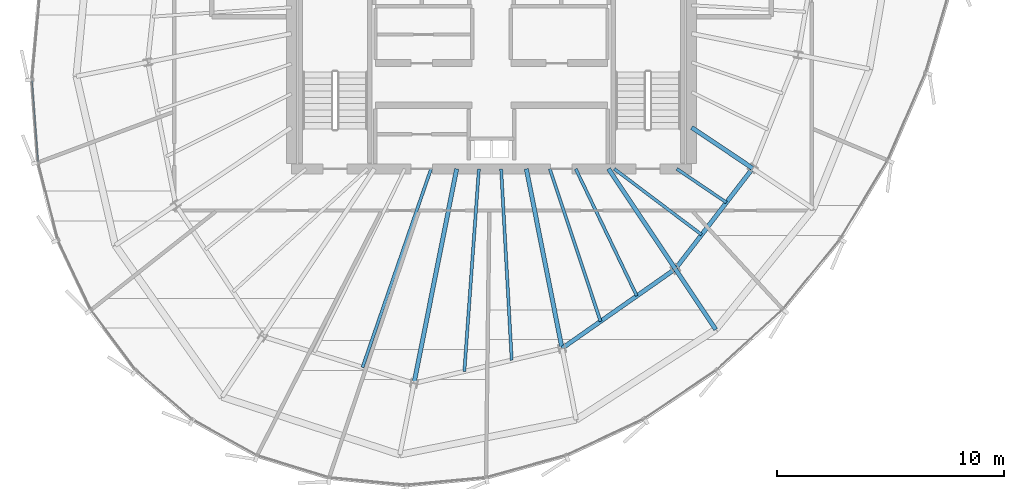
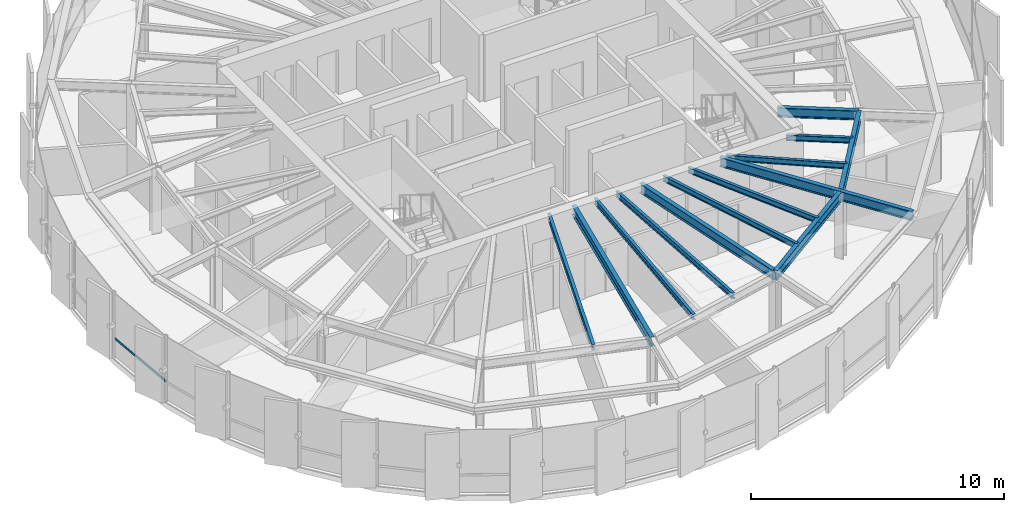
# One storey, part 8 of 33: 14 beams, 1 member, 1 element without a shape of its own.
"""IFC4 building model written with IfcOpenShell, lengths in metres."""

from ifc_helpers import new_model, si_unit, direction, frame, origin, origin_2d, place, context, subcontext, project, spatial, hollow_rectangle, i_section, extrude, source, transform, mapped, material, layer, layer_set, material_profile, profile_set, type_object, element, aggregate, save


model = new_model("IFC4")

# Units and contexts
model_context = context("Model", 3, precision=1e-05, world=origin(), true_north=direction((0.0, 1.0)))
body_context = subcontext(model_context, "Body", "Model", "MODEL_VIEW")
ifc_project = project(units=[si_unit("LENGTHUNIT", "METRE"), si_unit("AREAUNIT", "SQUARE_METRE"), si_unit("VOLUMEUNIT", "CUBIC_METRE"), si_unit("PLANEANGLEUNIT", "RADIAN"), si_unit("MASSUNIT", "GRAM", prefix="KILO"), si_unit("THERMODYNAMICTEMPERATUREUNIT", "KELVIN")], contexts=[model_context])

# Site, building, storey
site_placement = place(None, origin())
site = spatial("IfcSite", under=ifc_project, at=site_placement, CompositionType="ELEMENT")
building_placement = place(site_placement, origin())
building = spatial("IfcBuilding", under=site, at=building_placement, Name="Kethvar Cultural Tower", CompositionType="ELEMENT")
storey_placement = place(building_placement, frame((0.0, 0.0, 256.0)))
storey = spatial("IfcBuildingStorey", under=building, at=storey_placement, Name="L67", CompositionType="ELEMENT", Elevation=256.0)

# Beams
ifc_material_1 = material(Name="Steel S355J2", Category="steel")
ifc_material_profile_1 = material_profile(ifc_material_1, i_section(OverallWidth=0.18994140625, OverallDepth=0.449951171875, WebThickness=0.009521484375, FlangeThickness=0.0146484375, FilletRadius=0.02099609375, at=origin_2d()), Name="Steel S355J2 — IPE450")
ifc_profile_set_1 = profile_set([ifc_material_profile_1], Name="Steel S355J2 — IPE450")
beam_type_1 = type_object("IfcBeamType", Name="BM-IPE450", PredefinedType="BEAM", material=ifc_profile_set_1)
shared_shape_1 = source(origin(), body_context, "Body", "SweptSolid", [
    extrude(i_section(OverallWidth=0.18994140625, OverallDepth=0.449951171875, WebThickness=0.009521484375, FlangeThickness=0.0146484375, FilletRadius=0.02099609375, at=origin_2d()), origin(), (0.0, 0.0, 1.0), 3.199951171875),
])
beam_1_placement = place(storey_placement, frame((54.885009765625, 15.7001953125, 2.98291015625), z_axis=(0.555492222339, -0.83152173208, 0.0), x_axis=(0.83152173208, 0.555492222339, 0.0)))
element("IfcBeam", 1, at=beam_1_placement, inside=storey, type_object=beam_type_1, Name="L67 Perimeter Cantilever Beam RC-14", PredefinedType="BEAM", context=body_context, shape_type="MappedRepresentation", body=[
    mapped(shared_shape_1, transform((0.0, 0.0, 0.0), scale=1.0)),
])
shared_shape_2 = source(origin(), body_context, "Body", "SweptSolid", [
    extrude(i_section(OverallWidth=0.18994140625, OverallDepth=0.449951171875, WebThickness=0.009521484375, FlangeThickness=0.0146484375, FilletRadius=0.02099609375, at=origin_2d()), origin(), (0.0, 0.0, 1.0), 9.613525390625),
])
beam_2_placement = place(storey_placement, frame((45.268310546875, 20.10009765625, 2.98291015625), z_axis=(-0.195090428816, -0.980785259159, 0.0), x_axis=(0.980785259159, -0.195090428816, 0.0)))
element("IfcBeam", 2, at=beam_2_placement, inside=storey, type_object=beam_type_1, Name="L67 Primary Radial Beam RB-12", PredefinedType="BEAM", context=body_context, shape_type="MappedRepresentation", body=[
    mapped(shared_shape_2, transform((0.0, 0.0, 0.0), scale=1.0)),
])
shared_shape_3 = source(origin(), body_context, "Body", "SweptSolid", [
    extrude(i_section(OverallWidth=0.18994140625, OverallDepth=0.449951171875, WebThickness=0.009521484375, FlangeThickness=0.0146484375, FilletRadius=0.02099609375, at=origin_2d()), origin(), (0.0, 0.0, 1.0), 8.0478515625),
])
beam_3_placement = place(storey_placement, frame((48.33154296875, 20.10009765625, 2.98291015625), z_axis=(0.195089278796, -0.980785487912, 0.0), x_axis=(0.980785487912, 0.195089278796, 0.0)))
element("IfcBeam", 3, at=beam_3_placement, inside=storey, type_object=beam_type_1, Name="L67 Primary Radial Beam RB-13", PredefinedType="BEAM", context=body_context, shape_type="MappedRepresentation", body=[
    mapped(shared_shape_3, transform((0.0, 0.0, 0.0), scale=1.0)),
])
shared_shape_4 = source(origin(), body_context, "Body", "SweptSolid", [
    extrude(i_section(OverallWidth=0.18994140625, OverallDepth=0.449951171875, WebThickness=0.009521484375, FlangeThickness=0.0146484375, FilletRadius=0.02099609375, at=origin_2d()), origin(), (0.0, 0.0, 1.0), 5.291748046875),
])
beam_4_placement = place(storey_placement, frame((51.945068359375, 20.10009765625, 2.98291015625), z_axis=(0.555572931011, -0.831467809556, 0.0), x_axis=(0.831467809556, 0.555572931011, 0.0)))
element("IfcBeam", 4, at=beam_4_placement, inside=storey, type_object=beam_type_1, Name="L67 Primary Radial Beam RB-14", PredefinedType="BEAM", context=body_context, shape_type="MappedRepresentation", body=[
    mapped(shared_shape_4, transform((0.0, 0.0, 0.0), scale=1.0)),
])
shared_shape_5 = source(origin(), body_context, "Body", "SweptSolid", [
    extrude(i_section(OverallWidth=0.18994140625, OverallDepth=0.449951171875, WebThickness=0.009521484375, FlangeThickness=0.0146484375, FilletRadius=0.02099609375, at=origin_2d()), origin(), (0.0, 0.0, 1.0), 3.231689453125),
])
beam_5_placement = place(storey_placement, frame((55.60009765625, 21.919921875, 2.98291015625), z_axis=(0.831468708055, -0.55557158632, 0.0), x_axis=(0.55557158632, 0.831468708055, 0.0)))
element("IfcBeam", 5, at=beam_5_placement, inside=storey, type_object=beam_type_1, Name="L67 Primary Radial Beam RB-15", PredefinedType="BEAM", context=body_context, shape_type="MappedRepresentation", body=[
    mapped(shared_shape_5, transform((0.0, 0.0, 0.0), scale=1.0)),
])
ifc_material_profile_2 = material_profile(ifc_material_1, i_section(OverallWidth=0.135009765625, OverallDepth=0.27001953125, WebThickness=0.006591796875, FlangeThickness=0.01025390625, FilletRadius=0.014892578125, at=origin_2d()), Name="Steel S355J2 — IPE270")
ifc_profile_set_2 = profile_set([ifc_material_profile_2], Name="Steel S355J2 — IPE270")
beam_type_2 = type_object("IfcBeamType", Name="BM-J270", PredefinedType="JOIST", material=ifc_profile_set_2)
shared_shape_6 = source(origin(), body_context, "Body", "SweptSolid", [
    extrude(i_section(OverallWidth=0.135009765625, OverallDepth=0.27001953125, WebThickness=0.006591796875, FlangeThickness=0.01025390625, FilletRadius=0.014892578125, at=origin_2d()), origin(), (0.0, 0.0, 1.0), 9.234130859375),
])
beam_6_placement = place(storey_placement, frame((44.1416015625, 20.10009765625, 3.072998046875), z_axis=(-0.326362208058, -0.945244787953, 0.0), x_axis=(0.945244787953, -0.326362208058, 0.0)))
element("IfcBeam", 6, at=beam_6_placement, inside=storey, type_object=beam_type_2, Name="L67 Composite Floor Joist J-11B", PredefinedType="JOIST", context=body_context, shape_type="MappedRepresentation", body=[
    mapped(shared_shape_6, transform((0.0, 0.0, 0.0), scale=1.0)),
])
shared_shape_7 = source(origin(), body_context, "Body", "SweptSolid", [
    extrude(i_section(OverallWidth=0.135009765625, OverallDepth=0.27001953125, WebThickness=0.006591796875, FlangeThickness=0.01025390625, FilletRadius=0.014892578125, at=origin_2d()), origin(), (0.0, 0.0, 1.0), 8.9296875),
])
beam_7_placement = place(storey_placement, frame((46.246337890625, 20.10009765625, 3.072998046875), z_axis=(-0.071713352262, -0.99742528297, 0.0), x_axis=(0.99742528297, -0.071713352262, 0.0)))
element("IfcBeam", 7, at=beam_7_placement, inside=storey, type_object=beam_type_2, Name="L67 Composite Floor Joist J-12A", PredefinedType="JOIST", context=body_context, shape_type="MappedRepresentation", body=[
    mapped(shared_shape_7, transform((0.0, 0.0, 0.0), scale=1.0)),
])
shared_shape_8 = source(origin(), body_context, "Body", "SweptSolid", [
    extrude(i_section(OverallWidth=0.135009765625, OverallDepth=0.27001953125, WebThickness=0.006591796875, FlangeThickness=0.01025390625, FilletRadius=0.014892578125, at=origin_2d()), origin(), (0.0, 0.0, 1.0), 8.427978515625),
])
beam_8_placement = place(storey_placement, frame((47.224609375, 20.10009765625, 3.072998046875), z_axis=(0.055067321535, -0.998482643865, 0.0), x_axis=(0.998482643865, 0.055067321535, 0.0)))
element("IfcBeam", 8, at=beam_8_placement, inside=storey, type_object=beam_type_2, Name="L67 Composite Floor Joist J-12B", PredefinedType="JOIST", context=body_context, shape_type="MappedRepresentation", body=[
    mapped(shared_shape_8, transform((0.0, 0.0, 0.0), scale=1.0)),
])
shared_shape_9 = source(origin(), body_context, "Body", "SweptSolid", [
    extrude(i_section(OverallWidth=0.18994140625, OverallDepth=0.449951171875, WebThickness=0.009521484375, FlangeThickness=0.0146484375, FilletRadius=0.02099609375, at=origin_2d()), origin(), (0.0, 0.0, 1.0), 6.0859375),
])
beam_9_placement = place(storey_placement, frame((49.901611328125, 12.206787109375, 2.98291015625), z_axis=(0.818843498091, 0.57401683393, 0.0), x_axis=(-0.57401683393, 0.818843498091, 0.0)))
element("IfcBeam", 9, at=beam_9_placement, inside=storey, type_object=beam_type_1, Name="L67 Column Ring Tie Beam CR-13", PredefinedType="BEAM", context=body_context, shape_type="MappedRepresentation", body=[
    mapped(shared_shape_9, transform((0.0, 0.0, 0.0), scale=1.0)),
])
shared_shape_10 = source(origin(), body_context, "Body", "SweptSolid", [
    extrude(i_section(OverallWidth=0.135009765625, OverallDepth=0.27001953125, WebThickness=0.006591796875, FlangeThickness=0.01025390625, FilletRadius=0.014892578125, at=origin_2d()), origin(), (0.0, 0.0, 1.0), 7.0673828125),
])
beam_10_placement = place(storey_placement, frame((49.363525390625, 20.10009765625, 3.072998046875), z_axis=(0.315875389768, -0.948800684095, 0.0), x_axis=(0.948800684095, 0.315875389768, 0.0)))
element("IfcBeam", 10, at=beam_10_placement, inside=storey, type_object=beam_type_2, Name="L67 Composite Floor Joist J-13A", PredefinedType="JOIST", context=body_context, shape_type="MappedRepresentation", body=[
    mapped(shared_shape_10, transform((0.0, 0.0, 0.0), scale=1.0)),
])
shared_shape_11 = source(origin(), body_context, "Body", "SweptSolid", [
    extrude(i_section(OverallWidth=0.135009765625, OverallDepth=0.27001953125, WebThickness=0.006591796875, FlangeThickness=0.01025390625, FilletRadius=0.014892578125, at=origin_2d()), origin(), (0.0, 0.0, 1.0), 6.2001953125),
])
beam_11_placement = place(storey_placement, frame((50.50341796875, 20.10009765625, 3.072998046875), z_axis=(0.433410678328, -0.901196529017, 0.0), x_axis=(0.901196529017, 0.433410678328, 0.0)))
element("IfcBeam", 11, at=beam_11_placement, inside=storey, type_object=beam_type_2, Name="L67 Composite Floor Joist J-13B", PredefinedType="JOIST", context=body_context, shape_type="MappedRepresentation", body=[
    mapped(shared_shape_11, transform((0.0, 0.0, 0.0), scale=1.0)),
])
shared_shape_12 = source(origin(), body_context, "Body", "SweptSolid", [
    extrude(i_section(OverallWidth=0.18994140625, OverallDepth=0.449951171875, WebThickness=0.009521484375, FlangeThickness=0.0146484375, FilletRadius=0.02099609375, at=origin_2d()), origin(), (0.0, 0.0, 1.0), 5.5810546875),
])
beam_12_placement = place(storey_placement, frame((54.885009765625, 15.7001953125, 2.98291015625), z_axis=(0.60957334008, 0.79272967843, 0.0), x_axis=(-0.79272967843, 0.60957334008, 0.0)))
element("IfcBeam", 12, at=beam_12_placement, inside=storey, type_object=beam_type_1, Name="L67 Column Ring Tie Beam CR-14", PredefinedType="BEAM", context=body_context, shape_type="MappedRepresentation", body=[
    mapped(shared_shape_12, transform((0.0, 0.0, 0.0), scale=1.0)),
])
shared_shape_13 = source(origin(), body_context, "Body", "SweptSolid", [
    extrude(i_section(OverallWidth=0.135009765625, OverallDepth=0.27001953125, WebThickness=0.006591796875, FlangeThickness=0.01025390625, FilletRadius=0.014892578125, at=origin_2d()), origin(), (0.0, 0.0, 1.0), 4.810791015625),
])
beam_13_placement = place(storey_placement, frame((52.199951171875, 20.10009765625, 3.072998046875), z_axis=(0.798542152732, -0.601938892505, 0.0), x_axis=(0.601938892505, 0.798542152732, 0.0)))
element("IfcBeam", 13, at=beam_13_placement, inside=storey, type_object=beam_type_2, Name="L67 Composite Floor Joist J-14A", PredefinedType="JOIST", context=body_context, shape_type="MappedRepresentation", body=[
    mapped(shared_shape_13, transform((0.0, 0.0, 0.0), scale=1.0)),
])
shared_shape_14 = source(origin(), body_context, "Body", "SweptSolid", [
    extrude(i_section(OverallWidth=0.135009765625, OverallDepth=0.27001953125, WebThickness=0.006591796875, FlangeThickness=0.01025390625, FilletRadius=0.014892578125, at=origin_2d()), origin(), (0.0, 0.0, 1.0), 2.635009765625),
])
beam_14_placement = place(storey_placement, frame((54.949951171875, 20.10009765625, 3.072998046875), z_axis=(0.827446562598, -0.561544464887, 0.0), x_axis=(0.561544464887, 0.827446562598, 0.0)))
element("IfcBeam", 14, at=beam_14_placement, inside=storey, type_object=beam_type_2, Name="L67 Composite Floor Joist J-14B", PredefinedType="JOIST", context=body_context, shape_type="MappedRepresentation", body=[
    mapped(shared_shape_14, transform((0.0, 0.0, 0.0), scale=1.0)),
])

# Curtain wall, member
ifc_material_2 = material(Name="Aluminium 6063-T6", Category="aluminium")
ifc_layer = layer(ifc_material_2, 0.179931640625, Name="Aluminium 6063-T6", Category="aluminium")
ifc_layer_set = layer_set([ifc_layer], Name="Aluminium 6063-T6 (180 mm)")
curtain_wall_type = type_object("IfcCurtainWallType", Name="CW-SYS-05-Z56", PredefinedType="NOTDEFINED", material=ifc_layer_set)
curtain_wall_placement = place(storey_placement, origin())
curtain_wall = element("IfcCurtainWall", 15, at=curtain_wall_placement, inside=storey, type_object=curtain_wall_type, Name="L67 Curtain Wall Run 03", PredefinedType="NOTDEFINED")
ifc_material_profile_3 = material_profile(ifc_material_2, hollow_rectangle(XDim=0.050048828125, YDim=0.10009765625, WallThickness=0.00390625, at=origin_2d()), Name="Aluminium 6063-T6 — RHS100x50x4")
ifc_profile_set_3 = profile_set([ifc_material_profile_3], Name="Aluminium 6063-T6 — RHS100x50x4")
member_type = type_object("IfcMemberType", Name="CW-SYS-05-Z56-TRN", PredefinedType="USERDEFINED", material=ifc_profile_set_3)
shared_shape_15 = source(origin(), body_context, "Body", "SweptSolid", [
    extrude(hollow_rectangle(XDim=0.050048828125, YDim=0.10009765625, WallThickness=0.00390625, at=origin_2d()), origin(), (0.0, 0.0, 1.0), 3.583984375),
])
member_placement = place(storey_placement, frame((26.598388671875, 23.97998046875, 0.949951171875), z_axis=(0.074044815064, -0.997254914935, 0.0), x_axis=(0.997254914935, 0.074044815064, 0.0)))
member = element("IfcMember", 16, at=member_placement, type_object=member_type, Name="CW-L67-R03 Transom 2", ObjectType="TRANSOM", PredefinedType="USERDEFINED", context=body_context, shape_type="MappedRepresentation", body=[
    mapped(shared_shape_15, transform((0.0, 0.0, 0.0), scale=1.0)),
])
aggregate(curtain_wall, [member])

save(model, "model.ifc")
